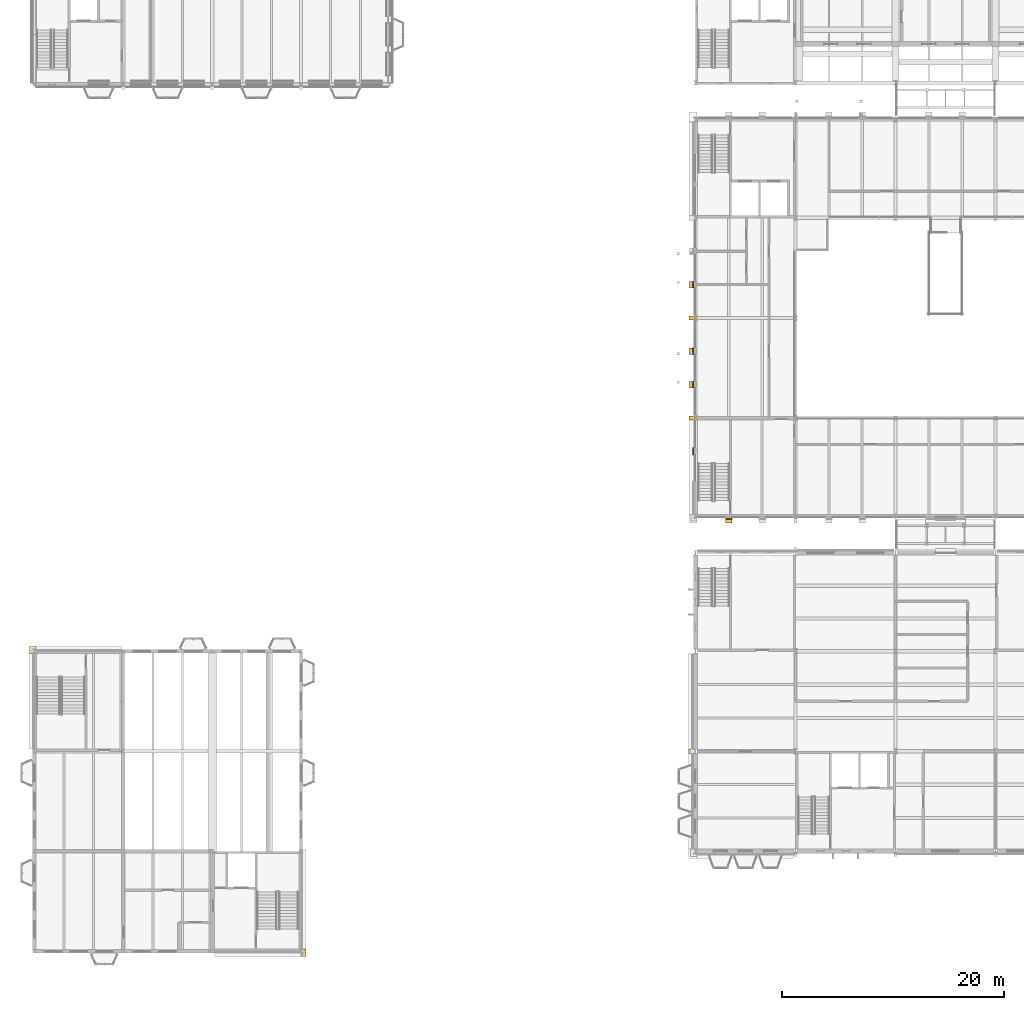
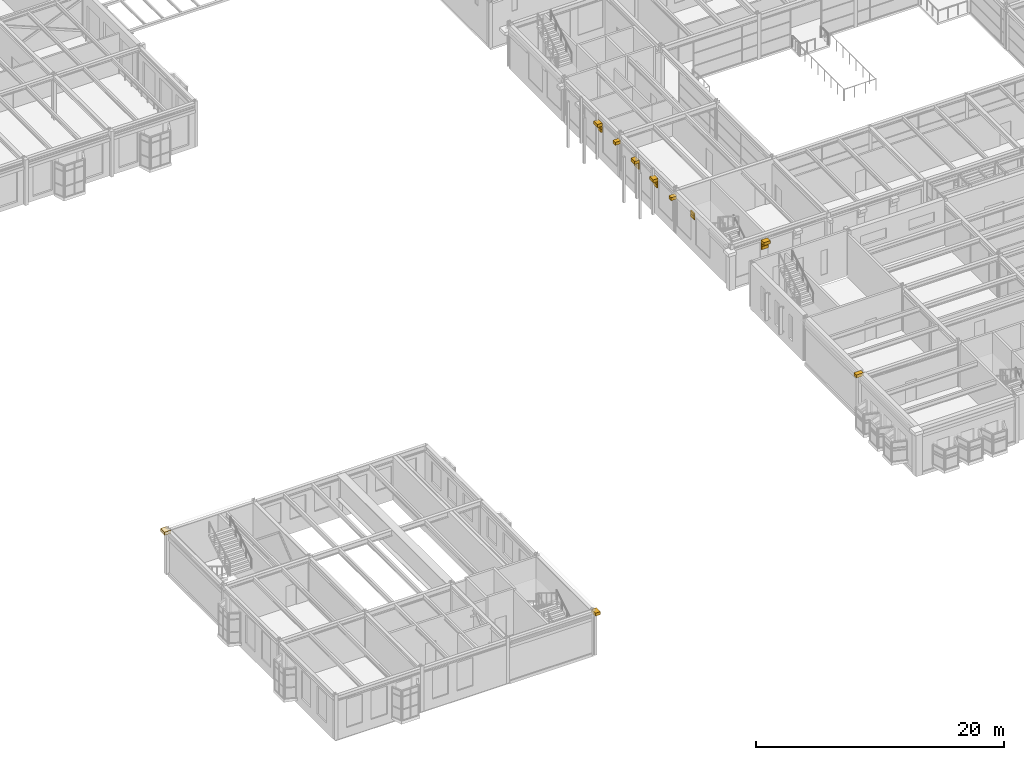
# One storey, part 151 of 153: 19 coverings.
"""IFC4 building model written with IfcOpenShell, lengths in metres."""

import ifcopenshell
import ifcopenshell.guid

model = None  # the IFC model being written
_history = None  # IfcOwnerHistory: only IFC2X3 demands one
_inside = {}  # id of a spatial element -> (the spatial element, [elements in it])
_under = {}  # id of a project, library or spatial element -> (it, [spatial elements below it])
_declared = {}  # id of a project -> (the project, [libraries it declares])
_typed = {}  # id of a type object -> (the type object, [elements of that type])
_made_of = {}  # id of a material, layer set ... -> (it, [elements and type objects made of it])


def new_model(schema):
    """Start an empty IFC model of exactly this schema.

    Asked for "IFC4X3", IfcOpenShell would pick the latest addendum, in which some entities
    have other attributes; the version numbers below select the first issue.
    IFC2X3 requires an IfcOwnerHistory on every rooted entity: one is made here for all.
    """
    global model, _history
    if schema == "IFC4X3":
        model = ifcopenshell.file(schema_version=(4, 3, 0, 0))
    else:
        model = ifcopenshell.file(schema=schema)
    _inside.clear()
    _under.clear()
    _declared.clear()
    _typed.clear()
    _made_of.clear()
    _history = None
    if model.schema == "IFC2X3":
        org = make("IfcOrganization", Name="unknown")
        user = make(
            "IfcPersonAndOrganization",
            ThePerson=make("IfcPerson", FamilyName="unknown"),
            TheOrganization=org,
        )
        app = make(
            "IfcApplication",
            ApplicationDeveloper=org,
            Version="unknown",
            ApplicationFullName="unknown",
            ApplicationIdentifier="unknown",
        )
        _history = make(
            "IfcOwnerHistory",
            OwningUser=user,
            OwningApplication=app,
            ChangeAction="ADDED",
            CreationDate=0,
        )
    return model


def make(cls, **values):
    """One entity of the class cls with the attributes given. An attribute that is None is left unset."""
    return model.create_entity(
        cls, **{name: value for name, value in values.items() if value is not None}
    )


def rooted(cls, **values):
    """An entity with a GlobalId (a new one), such as an element, a storey or a relation."""
    return make(cls, GlobalId=ifcopenshell.guid.new(), OwnerHistory=_history, **values)


def si_unit(unit_type, name, prefix=None):
    """IfcSIUnit, for example si_unit("LENGTHUNIT", "METRE", prefix="MILLI")."""
    return make("IfcSIUnit", UnitType=unit_type, Prefix=prefix, Name=name)


def assignment(units):
    """IfcUnitAssignment: the units of a project."""
    return None if units is None else make("IfcUnitAssignment", Units=units)


def point(xyz):
    """IfcCartesianPoint."""
    return None if xyz is None else make("IfcCartesianPoint", Coordinates=xyz)


def direction(xyz):
    """IfcDirection."""
    return None if xyz is None else make("IfcDirection", DirectionRatios=xyz)


def frame(location, z_axis=None, x_axis=None):
    """IfcAxis2Placement3D, a coordinate frame: its origin and axes. An axis left out is left unset."""
    return make(
        "IfcAxis2Placement3D",
        Location=point(location),
        Axis=direction(z_axis),
        RefDirection=direction(x_axis),
    )


def frame_2d(location, x_axis=None):
    """IfcAxis2Placement2D, a coordinate frame in the plane: its origin and x axis."""
    return make(
        "IfcAxis2Placement2D", Location=point(location), RefDirection=direction(x_axis)
    )


def origin():
    """The frame at (0, 0, 0) with its axes left unset."""
    return frame((0.0, 0.0, 0.0))


def origin_2d():
    """The frame at (0, 0) in the plane with its x axis left unset."""
    return frame_2d((0.0, 0.0))


def place(relative_to, where):
    """IfcLocalPlacement: puts the frame where relative to a parent placement (None: the world)."""
    return make(
        "IfcLocalPlacement", PlacementRelTo=relative_to, RelativePlacement=where
    )


def context(
    kind, dimensions, precision=None, world=None, true_north=None, identifier=None
):
    """IfcGeometricRepresentationContext, for example the 3D "Model" context."""
    return make(
        "IfcGeometricRepresentationContext",
        ContextIdentifier=identifier,
        ContextType=kind,
        CoordinateSpaceDimension=dimensions,
        Precision=precision,
        WorldCoordinateSystem=world,
        TrueNorth=true_north,
    )


def subcontext(parent, identifier, kind, view, scale=None):
    """IfcGeometricRepresentationSubContext, for example "Body" below "Model"."""
    return make(
        "IfcGeometricRepresentationSubContext",
        ContextIdentifier=identifier,
        ContextType=kind,
        ParentContext=parent,
        TargetScale=scale,
        TargetView=view,
    )


def project(units=None, contexts=None):
    """IfcProject with its units and contexts."""
    return rooted(
        "IfcProject",
        Name="project",
        RepresentationContexts=contexts,
        UnitsInContext=assignment(units),
    )


def spatial(cls, under=None, at=None, **own):
    """A site, building, storey or space (cls), placed at a placement, below another one or the project."""
    s = rooted(cls, ObjectPlacement=at, **own)
    if under is not None:
        _under.setdefault(under.id(), (under, []))[1].append(s)
    return s


def profile(cls, at=None, kind="AREA", **sizes):
    """A parametric profile (cls). Its sizes go by their IFC names, for example OverallWidth=200.0."""
    return make(cls, ProfileType=kind, Position=at, **sizes)


def rectangle(**sizes):
    """IfcRectangleProfileDef."""
    return profile("IfcRectangleProfileDef", **sizes)


def extrude(swept, where, along, depth):
    """IfcExtrudedAreaSolid: the profile swept, set in the frame where, extruded along a direction by depth."""
    return make(
        "IfcExtrudedAreaSolid",
        SweptArea=swept,
        Position=where,
        ExtrudedDirection=direction(along),
        Depth=depth,
    )


def shape(context_of_items, identifier, shape_type, items):
    """IfcShapeRepresentation: the items that make up one representation, for example the "Body"."""
    return make(
        "IfcShapeRepresentation",
        ContextOfItems=context_of_items,
        RepresentationIdentifier=identifier,
        RepresentationType=shape_type,
        Items=items,
    )


def material(Name=None, Category=None):
    """IfcMaterial."""
    return make("IfcMaterial", Name=Name, Category=Category)


def layer(
    of_material, thickness, ventilated=None, Name=None, Category=None, Priority=None
):
    """IfcMaterialLayer: one layer of a wall or slab, of a material (None: an air gap)."""
    return make(
        "IfcMaterialLayer",
        Material=of_material,
        LayerThickness=thickness,
        IsVentilated=ventilated,
        Name=Name,
        Category=Category,
        Priority=Priority,
    )


def layer_set(layers, Name=None):
    """IfcMaterialLayerSet."""
    return make("IfcMaterialLayerSet", MaterialLayers=layers, LayerSetName=Name)


def made_of(thing, what):
    """Note that an element or type object is made of a material, layer set ...; save() writes the relation."""
    if what is not None:
        _made_of.setdefault(what.id(), (what, []))[1].append(thing)
    return thing


def type_object(cls, material=None, **own):
    """A type object (cls), such as IfcWallType, which elements share."""
    return made_of(rooted(cls, **own), material)


def element(
    cls,
    number,
    at=None,
    inside=None,
    cuts=None,
    type_object=None,
    material=None,
    context=None,
    identifier="Body",
    shape_type=None,
    held_by="IfcProductDefinitionShape",
    body=None,
    shapes=None,
    **own,
):
    """One element of the class cls, such as IfcWall. Its Tag is "e" and its number.

    at: its placement. inside: the storey or other place that contains it. cuts: it is an
    opening in that element (IfcRelVoidsElement). A single representation is given by context,
    identifier, shape_type and body (its items); several are given by shapes. held_by: the class
    of the entity that holds the representations. save() writes the other relations.
    """
    e = rooted(cls, Tag="e%d" % number, ObjectPlacement=at, **own)
    if body is not None:
        shapes = [shape(context, identifier, shape_type, body)]
    if shapes is not None:
        e.Representation = make(held_by, Representations=shapes)
    if inside is not None:
        _inside.setdefault(inside.id(), (inside, []))[1].append(e)
    if cuts is not None:
        rooted(
            "IfcRelVoidsElement", RelatingBuildingElement=cuts, RelatedOpeningElement=e
        )
    if type_object is not None:
        _typed.setdefault(type_object.id(), (type_object, []))[1].append(e)
    return made_of(e, material)


def aggregate(whole, parts):
    """IfcRelAggregates: a whole, such as a stair, and the parts it consists of."""
    return rooted("IfcRelAggregates", RelatingObject=whole, RelatedObjects=parts)


def save(model, path):
    """Write the relations noted so far, then the file.

    IfcRelAggregates (storeys below a building ...), IfcRelContainedInSpatialStructure (elements
    in a storey), IfcRelDefinesByType, IfcRelAssociatesMaterial and IfcRelDeclares: one each for
    every whole, place, type object, material and project.
    """
    for whole, parts in _under.values():
        aggregate(whole, parts)
    for where, things in _inside.values():
        rooted(
            "IfcRelContainedInSpatialStructure",
            RelatedElements=things,
            RelatingStructure=where,
        )
    for kind, things in _typed.values():
        rooted("IfcRelDefinesByType", RelatedObjects=things, RelatingType=kind)
    for what, things in _made_of.values():
        rooted("IfcRelAssociatesMaterial", RelatedObjects=things, RelatingMaterial=what)
    for by, libraries in _declared.values():
        rooted("IfcRelDeclares", RelatingContext=by, RelatedDefinitions=libraries)
    model.write(path)


model = new_model("IFC4")

# Units and contexts
model_context = context("Model", 3, precision=1e-05, world=origin(), true_north=direction((0.0, 1.0)))
body_context = subcontext(model_context, "Body", "Model", "MODEL_VIEW")
ifc_project = project(units=[si_unit("LENGTHUNIT", "METRE"), si_unit("AREAUNIT", "SQUARE_METRE"), si_unit("VOLUMEUNIT", "CUBIC_METRE"), si_unit("PLANEANGLEUNIT", "RADIAN"), si_unit("MASSUNIT", "GRAM", prefix="KILO")], contexts=[model_context])

# Site, building, storey
site_placement = place(None, origin())
site = spatial("IfcSite", under=ifc_project, at=site_placement, CompositionType="ELEMENT")
building_placement = place(site_placement, origin())
building = spatial("IfcBuilding", under=site, at=building_placement, Name="Kallimachos Central Library", CompositionType="ELEMENT")
storey_placement = place(building_placement, frame((0.0, 0.0, 5.39990234375)))
storey = spatial("IfcBuildingStorey", under=building, at=storey_placement, Name="L01", CompositionType="ELEMENT", Elevation=5.39990234375)

# Coverings
ifc_material_1 = material(Name="Glazed ceramic frieze, green")
ifc_layer_1 = layer(ifc_material_1, 0.10009765625)
ifc_layer_set_1 = layer_set([ifc_layer_1], Name="Glazed ceramic frieze, green")
covering_type_1 = type_object("IfcCoveringType", Name="Glazed ceramic frieze, green", PredefinedType="CLADDING", material=ifc_layer_set_1)
covering_1_placement = place(storey_placement, frame((68.5, 47.929931640625, 3.18017578125), z_axis=(0.0, 0.0, 1.0), x_axis=(1.0, 0.0, 0.0)))
element("IfcCovering", 1, at=covering_1_placement, inside=storey, type_object=covering_type_1, Name="Glazed ceramic frieze, green -L01-015", PredefinedType="CLADDING", context=body_context, shape_type="SweptSolid", body=[
    extrude(rectangle(XDim=0.60009765625, YDim=0.10009765625, at=origin_2d()), origin(), (0.0, 0.0, 1.0), 0.300048828125),
])
for number, where, z_axis, x_axis, name in (
    (2, (65.300048828125, 54.0, 3.6298828125), (0.0, 0.0, 1.0), (1.0, 0.0, 0.0), "Glazed ceramic frieze, green -L01-025"),
    (3, (65.29541015625, 60.0, 3.1298828125), (0.0, 0.0, 1.0), (1.0, 0.0, 0.0), "Glazed ceramic frieze, green -L01-026"),
    (4, (65.29541015625, 63.0, 3.1298828125), (0.0, 0.0, 1.0), (1.0, 0.0, 0.0), "Glazed ceramic frieze, green -L01-026"),
    (5, (65.29541015625, 69.0, 3.1298828125), (0.0, 0.0, 1.0), (1.0, 0.0, 0.0), "Glazed ceramic frieze, green -L01-027"),
):
    element("IfcCovering", number, at=place(storey_placement, frame(where, z_axis=z_axis, x_axis=x_axis)), inside=storey, type_object=covering_type_1, Name=name, PredefinedType="CLADDING", context=body_context, shape_type="SweptSolid", body=[
        extrude(rectangle(XDim=0.10009765625, YDim=0.60009765625, at=origin_2d()), origin(), (0.0, 0.0, 1.0), 0.300048828125),
    ])
ifc_material_2 = material(Name="Glazed ceramic frieze, ochre")
ifc_layer_2 = layer(ifc_material_2, 0.10009765625)
ifc_layer_set_2 = layer_set([ifc_layer_2], Name="Glazed ceramic frieze, ochre")
covering_type_2 = type_object("IfcCoveringType", Name="Glazed ceramic frieze, ochre", PredefinedType="CLADDING", material=ifc_layer_set_2)
covering_2_placement = place(storey_placement, frame((68.5, 47.929931640625, 2.8798828125), z_axis=(0.0, 0.0, 1.0), x_axis=(1.0, 0.0, 0.0)))
element("IfcCovering", 6, at=covering_2_placement, inside=storey, type_object=covering_type_2, Name="Glazed ceramic frieze, ochre -L01-015", PredefinedType="CLADDING", context=body_context, shape_type="SweptSolid", body=[
    extrude(rectangle(XDim=0.60009765625, YDim=0.10009765625, at=origin_2d()), origin(), (0.0, 0.0, 1.0), 0.300048828125),
])
for number, where, z_axis, x_axis, name in (
    (7, (65.300048828125, 54.0, 3.330078125), (0.0, 0.0, 1.0), (1.0, 0.0, 0.0), "Glazed ceramic frieze, ochre -L01-025"),
    (8, (65.29541015625, 60.0, 2.830078125), (0.0, 0.0, 1.0), (1.0, 0.0, 0.0), "Glazed ceramic frieze, ochre -L01-026"),
    (9, (65.29541015625, 63.0, 2.830078125), (0.0, 0.0, 1.0), (1.0, 0.0, 0.0), "Glazed ceramic frieze, ochre -L01-026"),
    (10, (65.29541015625, 69.0, 2.830078125), (0.0, 0.0, 1.0), (1.0, 0.0, 0.0), "Glazed ceramic frieze, ochre -L01-027"),
):
    element("IfcCovering", number, at=place(storey_placement, frame(where, z_axis=z_axis, x_axis=x_axis)), inside=storey, type_object=covering_type_2, Name=name, PredefinedType="CLADDING", context=body_context, shape_type="SweptSolid", body=[
        extrude(rectangle(XDim=0.10009765625, YDim=0.60009765625, at=origin_2d()), origin(), (0.0, 0.0, 1.0), 0.300048828125),
    ])
ifc_material_3 = material(Name="Pentelic marble cornice", Category="masonry")
ifc_layer_3 = layer(ifc_material_3, 0.449951171875)
ifc_layer_set_3 = layer_set([ifc_layer_3], Name="Stone cornice 450")
covering_type_3 = type_object("IfcCoveringType", Name="Stone cornice 450", PredefinedType="MOLDING", material=ifc_layer_set_3)
covering_3_placement = place(storey_placement, frame((68.5, 47.7548828125, 3.5), z_axis=(0.0, 0.0, 1.0), x_axis=(1.0, 0.0, 0.0)))
element("IfcCovering", 11, at=covering_3_placement, inside=storey, type_object=covering_type_3, Name="Stone cornice 450 -L01-015", PredefinedType="MOLDING", context=body_context, shape_type="SweptSolid", body=[
    extrude(rectangle(XDim=0.60009765625, YDim=0.449951171875, at=origin_2d()), origin(), (0.0, 0.0, 1.0), 0.300048828125),
])
for number, where, z_axis, x_axis, name in (
    (12, (65.12060546875, 60.0, 3.4501953125), (0.0, 0.0, 1.0), (1.0, 0.0, 0.0), "Stone cornice 450 -L01-026"),
    (13, (65.12060546875, 63.0, 3.4501953125), (0.0, 0.0, 1.0), (1.0, 0.0, 0.0), "Stone cornice 450 -L01-026"),
    (14, (65.12060546875, 69.0, 3.4501953125), (0.0, 0.0, 1.0), (1.0, 0.0, 0.0), "Stone cornice 450 -L01-027"),
):
    element("IfcCovering", number, at=place(storey_placement, frame(where, z_axis=z_axis, x_axis=x_axis)), inside=storey, type_object=covering_type_3, Name=name, PredefinedType="MOLDING", context=body_context, shape_type="SweptSolid", body=[
        extrude(rectangle(XDim=0.449951171875, YDim=0.60009765625, at=origin_2d()), origin(), (0.0, 0.0, 1.0), 0.300048828125),
    ])
covering_4_placement = place(storey_placement, frame((65.175048828125, 27.0, 4.2001953125), z_axis=(0.0, 0.0, 1.0), x_axis=(1.0, 0.0, 0.0)))
element("IfcCovering", 15, at=covering_4_placement, inside=storey, type_object=covering_type_3, Name="Stone cornice 450 -L01-020", PredefinedType="MOLDING", context=body_context, shape_type="SweptSolid", body=[
    extrude(rectangle(XDim=0.64990234375, YDim=0.39990234375, at=origin_2d()), origin(), (0.0, 0.0, 1.0), 0.300048828125),
])
for number, where, z_axis, x_axis, name in (
    (16, (65.175048828125, 57.0, 3.4501953125), (0.0, 0.0, 1.0), (1.0, 0.0, 0.0), "Stone cornice 450 -L01-025"),
    (17, (65.17041015625, 66.0, 3.4501953125), (0.0, 0.0, 1.0), (1.0, 0.0, 0.0), "Stone cornice 450 -L01-026"),
):
    element("IfcCovering", number, at=place(storey_placement, frame(where, z_axis=z_axis, x_axis=x_axis)), inside=storey, type_object=covering_type_3, Name=name, PredefinedType="MOLDING", context=body_context, shape_type="SweptSolid", body=[
        extrude(rectangle(XDim=0.550048828125, YDim=0.376953125, at=origin_2d()), origin(), (0.0, 0.0, 1.0), 0.300048828125),
    ])
covering_5_placement = place(storey_placement, frame((30.219970703125, 8.875, 4.0), z_axis=(0.0, 0.0, 1.0), x_axis=(1.0, 0.0, 0.0)))
element("IfcCovering", 18, at=covering_5_placement, inside=storey, type_object=covering_type_3, Name="Stone cornice 450 corner", PredefinedType="MOLDING", context=body_context, shape_type="SweptSolid", body=[
    extrude(rectangle(XDim=0.4599609375, YDim=0.64990234375, at=origin_2d()), origin(), (0.0, 0.0, 1.0), 0.300048828125),
])
covering_6_placement = place(storey_placement, frame((5.85009765625, 36.125, 4.0), z_axis=(0.0, 0.0, 1.0), x_axis=(1.0, 0.0, 0.0)))
element("IfcCovering", 19, at=covering_6_placement, inside=storey, type_object=covering_type_3, Name="Stone cornice 450 corner", PredefinedType="MOLDING", context=body_context, shape_type="SweptSolid", body=[
    extrude(rectangle(XDim=0.60009765625, YDim=0.64990234375, at=origin_2d()), origin(), (0.0, 0.0, 1.0), 0.300048828125),
])

save(model, "model.ifc")
